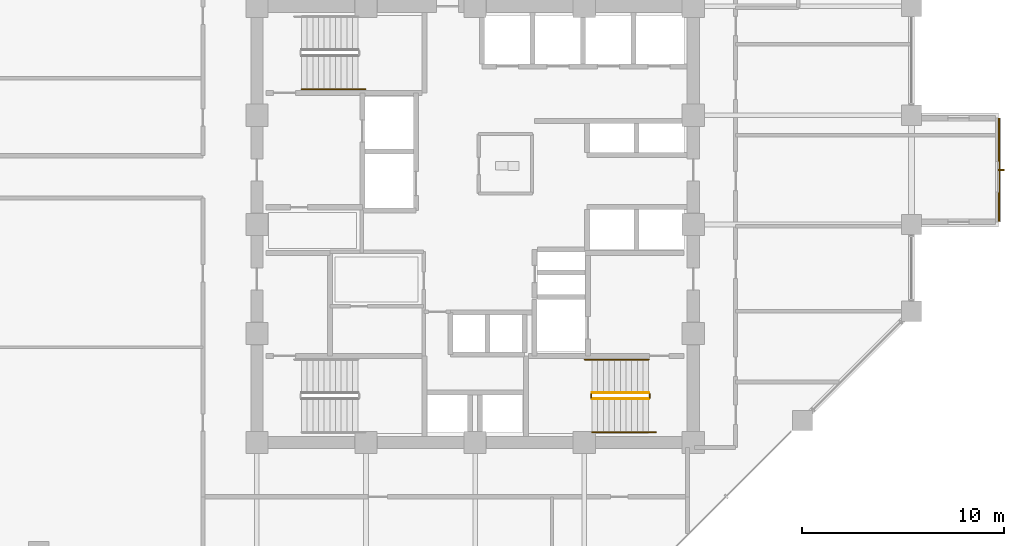
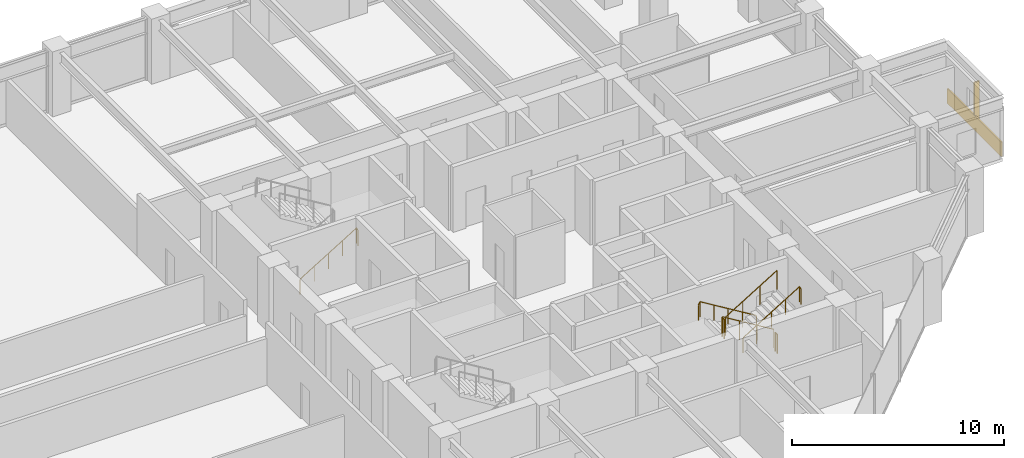
# One storey, part 23 of 25: 7 railings, 1 covering, 1 shading device.
"""IFC4 building model written with IfcOpenShell, lengths in metres."""

import ifcopenshell
import ifcopenshell.guid

model = None  # the IFC model being written
_history = None  # IfcOwnerHistory: only IFC2X3 demands one
_inside = {}  # id of a spatial element -> (the spatial element, [elements in it])
_under = {}  # id of a project, library or spatial element -> (it, [spatial elements below it])
_declared = {}  # id of a project -> (the project, [libraries it declares])
_typed = {}  # id of a type object -> (the type object, [elements of that type])
_made_of = {}  # id of a material, layer set ... -> (it, [elements and type objects made of it])


def new_model(schema):
    """Start an empty IFC model of exactly this schema.

    Asked for "IFC4X3", IfcOpenShell would pick the latest addendum, in which some entities
    have other attributes; the version numbers below select the first issue.
    IFC2X3 requires an IfcOwnerHistory on every rooted entity: one is made here for all.
    """
    global model, _history
    if schema == "IFC4X3":
        model = ifcopenshell.file(schema_version=(4, 3, 0, 0))
    else:
        model = ifcopenshell.file(schema=schema)
    _inside.clear()
    _under.clear()
    _declared.clear()
    _typed.clear()
    _made_of.clear()
    _history = None
    if model.schema == "IFC2X3":
        org = make("IfcOrganization", Name="unknown")
        user = make(
            "IfcPersonAndOrganization",
            ThePerson=make("IfcPerson", FamilyName="unknown"),
            TheOrganization=org,
        )
        app = make(
            "IfcApplication",
            ApplicationDeveloper=org,
            Version="unknown",
            ApplicationFullName="unknown",
            ApplicationIdentifier="unknown",
        )
        _history = make(
            "IfcOwnerHistory",
            OwningUser=user,
            OwningApplication=app,
            ChangeAction="ADDED",
            CreationDate=0,
        )
    return model


def make(cls, **values):
    """One entity of the class cls with the attributes given. An attribute that is None is left unset."""
    return model.create_entity(
        cls, **{name: value for name, value in values.items() if value is not None}
    )


def rooted(cls, **values):
    """An entity with a GlobalId (a new one), such as an element, a storey or a relation."""
    return make(cls, GlobalId=ifcopenshell.guid.new(), OwnerHistory=_history, **values)


def si_unit(unit_type, name, prefix=None):
    """IfcSIUnit, for example si_unit("LENGTHUNIT", "METRE", prefix="MILLI")."""
    return make("IfcSIUnit", UnitType=unit_type, Prefix=prefix, Name=name)


def assignment(units):
    """IfcUnitAssignment: the units of a project."""
    return None if units is None else make("IfcUnitAssignment", Units=units)


def point(xyz):
    """IfcCartesianPoint."""
    return None if xyz is None else make("IfcCartesianPoint", Coordinates=xyz)


def direction(xyz):
    """IfcDirection."""
    return None if xyz is None else make("IfcDirection", DirectionRatios=xyz)


def frame(location, z_axis=None, x_axis=None):
    """IfcAxis2Placement3D, a coordinate frame: its origin and axes. An axis left out is left unset."""
    return make(
        "IfcAxis2Placement3D",
        Location=point(location),
        Axis=direction(z_axis),
        RefDirection=direction(x_axis),
    )


def frame_2d(location, x_axis=None):
    """IfcAxis2Placement2D, a coordinate frame in the plane: its origin and x axis."""
    return make(
        "IfcAxis2Placement2D", Location=point(location), RefDirection=direction(x_axis)
    )


def origin():
    """The frame at (0, 0, 0) with its axes left unset."""
    return frame((0.0, 0.0, 0.0))


def origin_2d():
    """The frame at (0, 0) in the plane with its x axis left unset."""
    return frame_2d((0.0, 0.0))


def place(relative_to, where):
    """IfcLocalPlacement: puts the frame where relative to a parent placement (None: the world)."""
    return make(
        "IfcLocalPlacement", PlacementRelTo=relative_to, RelativePlacement=where
    )


def context(
    kind, dimensions, precision=None, world=None, true_north=None, identifier=None
):
    """IfcGeometricRepresentationContext, for example the 3D "Model" context."""
    return make(
        "IfcGeometricRepresentationContext",
        ContextIdentifier=identifier,
        ContextType=kind,
        CoordinateSpaceDimension=dimensions,
        Precision=precision,
        WorldCoordinateSystem=world,
        TrueNorth=true_north,
    )


def subcontext(parent, identifier, kind, view, scale=None):
    """IfcGeometricRepresentationSubContext, for example "Body" below "Model"."""
    return make(
        "IfcGeometricRepresentationSubContext",
        ContextIdentifier=identifier,
        ContextType=kind,
        ParentContext=parent,
        TargetScale=scale,
        TargetView=view,
    )


def project(units=None, contexts=None):
    """IfcProject with its units and contexts."""
    return rooted(
        "IfcProject",
        Name="project",
        RepresentationContexts=contexts,
        UnitsInContext=assignment(units),
    )


def spatial(cls, under=None, at=None, **own):
    """A site, building, storey or space (cls), placed at a placement, below another one or the project."""
    s = rooted(cls, ObjectPlacement=at, **own)
    if under is not None:
        _under.setdefault(under.id(), (under, []))[1].append(s)
    return s


def profile(cls, at=None, kind="AREA", **sizes):
    """A parametric profile (cls). Its sizes go by their IFC names, for example OverallWidth=200.0."""
    return make(cls, ProfileType=kind, Position=at, **sizes)


def rectangle(**sizes):
    """IfcRectangleProfileDef."""
    return profile("IfcRectangleProfileDef", **sizes)


def circle(**sizes):
    """IfcCircleProfileDef."""
    return profile("IfcCircleProfileDef", **sizes)


def extrude(swept, where, along, depth):
    """IfcExtrudedAreaSolid: the profile swept, set in the frame where, extruded along a direction by depth."""
    return make(
        "IfcExtrudedAreaSolid",
        SweptArea=swept,
        Position=where,
        ExtrudedDirection=direction(along),
        Depth=depth,
    )


def shape(context_of_items, identifier, shape_type, items):
    """IfcShapeRepresentation: the items that make up one representation, for example the "Body"."""
    return make(
        "IfcShapeRepresentation",
        ContextOfItems=context_of_items,
        RepresentationIdentifier=identifier,
        RepresentationType=shape_type,
        Items=items,
    )


def material(Name=None, Category=None):
    """IfcMaterial."""
    return make("IfcMaterial", Name=Name, Category=Category)


def layer(
    of_material, thickness, ventilated=None, Name=None, Category=None, Priority=None
):
    """IfcMaterialLayer: one layer of a wall or slab, of a material (None: an air gap)."""
    return make(
        "IfcMaterialLayer",
        Material=of_material,
        LayerThickness=thickness,
        IsVentilated=ventilated,
        Name=Name,
        Category=Category,
        Priority=Priority,
    )


def layer_set(layers, Name=None):
    """IfcMaterialLayerSet."""
    return make("IfcMaterialLayerSet", MaterialLayers=layers, LayerSetName=Name)


def made_of(thing, what):
    """Note that an element or type object is made of a material, layer set ...; save() writes the relation."""
    if what is not None:
        _made_of.setdefault(what.id(), (what, []))[1].append(thing)
    return thing


def type_object(cls, material=None, **own):
    """A type object (cls), such as IfcWallType, which elements share."""
    return made_of(rooted(cls, **own), material)


def element(
    cls,
    number,
    at=None,
    inside=None,
    cuts=None,
    type_object=None,
    material=None,
    context=None,
    identifier="Body",
    shape_type=None,
    held_by="IfcProductDefinitionShape",
    body=None,
    shapes=None,
    **own,
):
    """One element of the class cls, such as IfcWall. Its Tag is "e" and its number.

    at: its placement. inside: the storey or other place that contains it. cuts: it is an
    opening in that element (IfcRelVoidsElement). A single representation is given by context,
    identifier, shape_type and body (its items); several are given by shapes. held_by: the class
    of the entity that holds the representations. save() writes the other relations.
    """
    e = rooted(cls, Tag="e%d" % number, ObjectPlacement=at, **own)
    if body is not None:
        shapes = [shape(context, identifier, shape_type, body)]
    if shapes is not None:
        e.Representation = make(held_by, Representations=shapes)
    if inside is not None:
        _inside.setdefault(inside.id(), (inside, []))[1].append(e)
    if cuts is not None:
        rooted(
            "IfcRelVoidsElement", RelatingBuildingElement=cuts, RelatedOpeningElement=e
        )
    if type_object is not None:
        _typed.setdefault(type_object.id(), (type_object, []))[1].append(e)
    return made_of(e, material)


def aggregate(whole, parts):
    """IfcRelAggregates: a whole, such as a stair, and the parts it consists of."""
    return rooted("IfcRelAggregates", RelatingObject=whole, RelatedObjects=parts)


def save(model, path):
    """Write the relations noted so far, then the file.

    IfcRelAggregates (storeys below a building ...), IfcRelContainedInSpatialStructure (elements
    in a storey), IfcRelDefinesByType, IfcRelAssociatesMaterial and IfcRelDeclares: one each for
    every whole, place, type object, material and project.
    """
    for whole, parts in _under.values():
        aggregate(whole, parts)
    for where, things in _inside.values():
        rooted(
            "IfcRelContainedInSpatialStructure",
            RelatedElements=things,
            RelatingStructure=where,
        )
    for kind, things in _typed.values():
        rooted("IfcRelDefinesByType", RelatedObjects=things, RelatingType=kind)
    for what, things in _made_of.values():
        rooted("IfcRelAssociatesMaterial", RelatedObjects=things, RelatingMaterial=what)
    for by, libraries in _declared.values():
        rooted("IfcRelDeclares", RelatingContext=by, RelatedDefinitions=libraries)
    model.write(path)


model = new_model("IFC4")

# Units and contexts
model_context = context("Model", 3, precision=1e-05, world=origin(), true_north=direction((0.0, 1.0)))
body_context = subcontext(model_context, "Body", "Model", "MODEL_VIEW")
ifc_project = project(units=[si_unit("LENGTHUNIT", "METRE"), si_unit("AREAUNIT", "SQUARE_METRE"), si_unit("VOLUMEUNIT", "CUBIC_METRE"), si_unit("PLANEANGLEUNIT", "RADIAN"), si_unit("MASSUNIT", "GRAM", prefix="KILO")], contexts=[model_context])

# Site, building, storey
site_placement = place(None, origin())
site = spatial("IfcSite", under=ifc_project, at=site_placement, CompositionType="ELEMENT")
building_placement = place(site_placement, origin())
building = spatial("IfcBuilding", under=site, at=building_placement, Name="Surkhivell Harbour Commons", CompositionType="ELEMENT")
storey_placement = place(building_placement, frame((0.0, 0.0, 139.5)))
storey = spatial("IfcBuildingStorey", under=building, at=storey_placement, Name="L36", CompositionType="ELEMENT", Elevation=139.5)

# Covering
ifc_material_1 = material(Name="Vermilion-coral enamelled aluminium cassette panel", Category="aluminium")
ifc_layer = layer(ifc_material_1, 0.074951171875)
ifc_layer_set = layer_set([ifc_layer], Name="Vermilion-coral enamelled aluminium cassette panel")
covering_type = type_object("IfcCoveringType", Name="COV-CLAD-VER", PredefinedType="CLADDING", material=ifc_layer_set)
covering_placement = place(storey_placement, frame((25.93994140625, 2.699951171875, 0.0), z_axis=(0.0, 0.0, 1.0), x_axis=(1.0, 0.0, 0.0)))
element("IfcCovering", 1, at=covering_placement, inside=storey, type_object=covering_type, Name="L36 Coloured-Panel Box Spandrel Cassette 01", PredefinedType="CLADDING", context=body_context, shape_type="SweptSolid", body=[
    extrude(rectangle(XDim=0.080078125, YDim=5.10009765625, at=origin_2d()), origin(), (0.0, 0.0, 1.0), 0.840087890625),
])

# Railings
ifc_material_2 = material(Name="Galvanised and painted steel S355 guard rail", Category="steel")
railing_type_1 = type_object("IfcRailingType", Name="RAL-ST-GRD1100", PredefinedType="GUARDRAIL", material=ifc_material_2)
railing_1_placement = place(storey_placement, frame((8.590087890625, -8.340087890625, 0.17041015625)))
element("IfcRailing", 2, at=railing_1_placement, inside=storey, type_object=railing_type_1, Name="L36 ST2 stair guard 1", PredefinedType="GUARDRAIL", context=body_context, shape_type="SweptSolid", body=[
    extrude(circle(Radius=0.02392578125, at=origin_2d()), frame((0.0, 0.0, 1.076171875), z_axis=(-0.854169791009, 0.0, 0.51999420009), x_axis=(0.0, -1.0, 0.0)), (0.0, 0.0, 1.0), 3.278076171875),
    extrude(circle(Radius=0.02099609375, at=origin_2d()), origin(), (0.0, 0.0, 1.0), 1.052001953125),
    extrude(circle(Radius=0.02099609375, at=origin_2d()), frame((-0.933349609375, 0.0, 0.568115234375)), (0.0, 0.0, 1.0), 1.052001953125),
    extrude(circle(Radius=0.02099609375, at=origin_2d()), frame((-1.86669921875, 0.0, 1.136474609375)), (0.0, 0.0, 1.0), 1.052001953125),
    extrude(circle(Radius=0.02099609375, at=origin_2d()), frame((-2.800048828125, 0.0, 1.70458984375)), (0.0, 0.0, 1.0), 1.052001953125),
])
railing_2_placement = place(storey_placement, frame((5.739990234375, -8.389892578125, 1.875)))
element("IfcRailing", 3, at=railing_2_placement, inside=storey, type_object=railing_type_1, Name="L36 ST2 stair guard 2", PredefinedType="GUARDRAIL", context=body_context, shape_type="SweptSolid", body=[
    extrude(circle(Radius=0.02392578125, at=origin_2d()), frame((0.0, 0.0, 1.076171875), z_axis=(0.0, -1.0, 0.0), x_axis=(1.0, 0.0, 0.0)), (0.0, 0.0, 1.0), 0.2001953125),
    extrude(circle(Radius=0.02099609375, at=origin_2d()), origin(), (0.0, 0.0, 1.0), 1.052001953125),
    extrude(circle(Radius=0.02099609375, at=origin_2d()), frame((0.0, -0.2001953125, 0.0)), (0.0, 0.0, 1.0), 1.052001953125),
])
railing_3_placement = place(storey_placement, frame((5.7900390625, -8.639892578125, 2.04541015625)))
element("IfcRailing", 4, at=railing_3_placement, inside=storey, type_object=railing_type_1, Name="L36 ST2 stair guard 3", PredefinedType="GUARDRAIL", context=body_context, shape_type="SweptSolid", body=[
    extrude(circle(Radius=0.02392578125, at=origin_2d()), frame((0.0, 0.0, 1.076171875), z_axis=(0.854169791009, 0.0, 0.51999420009), x_axis=(0.0, 1.0, 0.0)), (0.0, 0.0, 1.0), 3.278076171875),
    extrude(circle(Radius=0.02099609375, at=origin_2d()), origin(), (0.0, 0.0, 1.0), 1.052001953125),
    extrude(circle(Radius=0.02099609375, at=origin_2d()), frame((0.933349609375, 0.0, 0.568115234375)), (0.0, 0.0, 1.0), 1.052001953125),
    extrude(circle(Radius=0.02099609375, at=origin_2d()), frame((1.86669921875, 0.0, 1.136474609375)), (0.0, 0.0, 1.0), 1.052001953125),
    extrude(circle(Radius=0.02099609375, at=origin_2d()), frame((2.800048828125, 0.0, 1.70458984375)), (0.0, 0.0, 1.0), 1.052001953125),
])
railing_4_placement = place(storey_placement, frame((8.639892578125, -8.389892578125, 0.0)))
element("IfcRailing", 5, at=railing_4_placement, inside=storey, type_object=railing_type_1, Name="L36 ST2 stair guard 4", PredefinedType="GUARDRAIL", context=body_context, shape_type="SweptSolid", body=[
    extrude(circle(Radius=0.02392578125, at=origin_2d()), frame((0.0, 0.0, 1.076171875), z_axis=(0.0, -1.0, 0.0), x_axis=(1.0, 0.0, 0.0)), (0.0, 0.0, 1.0), 0.2001953125),
    extrude(circle(Radius=0.02099609375, at=origin_2d()), origin(), (0.0, 0.0, 1.0), 1.052001953125),
    extrude(circle(Radius=0.02099609375, at=origin_2d()), frame((0.0, -0.2001953125, 0.0)), (0.0, 0.0, 1.0), 1.052001953125),
])
ifc_material_3 = material(Name="Brushed stainless steel S355 handrail", Category="steel")
railing_type_2 = type_object("IfcRailingType", Name="RAL-ST-HND900", PredefinedType="HANDRAIL", material=ifc_material_3)
railing_5_placement = place(storey_placement, frame((-8.590087890625, 6.68994140625, 0.17041015625)))
element("IfcRailing", 6, at=railing_5_placement, inside=storey, type_object=railing_type_2, Name="L36 ST1 stair handrail 1", PredefinedType="HANDRAIL", context=body_context, shape_type="SweptSolid", body=[
    extrude(circle(Radius=0.02392578125, at=origin_2d()), frame((0.0, 0.0, 0.8759765625), z_axis=(0.854177636135, 0.0, 0.519981313056), x_axis=(0.0, 1.0, 0.0)), (0.0, 0.0, 1.0), 3.60595703125),
    extrude(circle(Radius=0.02392578125, at=origin_2d()), frame((3.080078125, 0.0, 2.7509765625), z_axis=(0.425297416671, 0.0, -0.905053648892), x_axis=(0.0, 1.0, 0.0)), (0.0, 0.0, 1.0), 0.188232421875),
    extrude(circle(Radius=0.02099609375, at=origin_2d()), origin(), (0.0, 0.0, 1.0), 0.851806640625),
    extrude(circle(Radius=0.02099609375, at=origin_2d()), frame((0.77001953125, 0.0, 0.46875)), (0.0, 0.0, 1.0), 0.851806640625),
    extrude(circle(Radius=0.02099609375, at=origin_2d()), frame((1.5400390625, 0.0, 0.9375)), (0.0, 0.0, 1.0), 0.851806640625),
    extrude(circle(Radius=0.02099609375, at=origin_2d()), frame((2.31005859375, 0.0, 1.40625)), (0.0, 0.0, 1.0), 0.851806640625),
    extrude(circle(Radius=0.02099609375, at=origin_2d()), frame((3.080078125, 0.0, 1.875)), (0.0, 0.0, 1.0), 0.851806640625),
    extrude(circle(Radius=0.02099609375, at=origin_2d()), frame((3.16015625, 0.0, 1.70458984375)), (0.0, 0.0, 1.0), 0.851806640625),
])
railing_6_placement = place(storey_placement, frame((8.590087890625, -6.68994140625, 0.17041015625)))
element("IfcRailing", 7, at=railing_6_placement, inside=storey, type_object=railing_type_2, Name="L36 ST2 stair handrail 1", PredefinedType="HANDRAIL", context=body_context, shape_type="SweptSolid", body=[
    extrude(circle(Radius=0.02392578125, at=origin_2d()), frame((0.0, 0.0, 0.8759765625), z_axis=(-0.854177636135, 0.0, 0.519981313056), x_axis=(0.0, -1.0, 0.0)), (0.0, 0.0, 1.0), 3.60595703125),
    extrude(circle(Radius=0.02392578125, at=origin_2d()), frame((-3.080078125, 0.0, 2.7509765625), z_axis=(-0.425297416671, 0.0, -0.905053648892), x_axis=(0.0, -1.0, 0.0)), (0.0, 0.0, 1.0), 0.188232421875),
    extrude(circle(Radius=0.02099609375, at=origin_2d()), origin(), (0.0, 0.0, 1.0), 0.851806640625),
    extrude(circle(Radius=0.02099609375, at=origin_2d()), frame((-0.77001953125, 0.0, 0.46875)), (0.0, 0.0, 1.0), 0.851806640625),
    extrude(circle(Radius=0.02099609375, at=origin_2d()), frame((-1.5400390625, 0.0, 0.9375)), (0.0, 0.0, 1.0), 0.851806640625),
    extrude(circle(Radius=0.02099609375, at=origin_2d()), frame((-2.31005859375, 0.0, 1.40625)), (0.0, 0.0, 1.0), 0.851806640625),
    extrude(circle(Radius=0.02099609375, at=origin_2d()), frame((-3.080078125, 0.0, 1.875)), (0.0, 0.0, 1.0), 0.851806640625),
    extrude(circle(Radius=0.02099609375, at=origin_2d()), frame((-3.16015625, 0.0, 1.70458984375)), (0.0, 0.0, 1.0), 0.851806640625),
])
railing_7_placement = place(storey_placement, frame((5.7900390625, -10.2900390625, 2.04541015625)))
element("IfcRailing", 8, at=railing_7_placement, inside=storey, type_object=railing_type_2, Name="L36 ST2 stair handrail 2", PredefinedType="HANDRAIL", context=body_context, shape_type="SweptSolid", body=[
    extrude(circle(Radius=0.02392578125, at=origin_2d()), frame((0.0, 0.0, 0.8759765625), z_axis=(0.854177636135, 0.0, 0.519981313056), x_axis=(0.0, 1.0, 0.0)), (0.0, 0.0, 1.0), 3.60595703125),
    extrude(circle(Radius=0.02392578125, at=origin_2d()), frame((3.080078125, 0.0, 2.7509765625), z_axis=(0.424234432967, 0.0, -0.905552398199), x_axis=(0.0, 1.0, 0.0)), (0.0, 0.0, 1.0), 0.188232421875),
    extrude(circle(Radius=0.02099609375, at=origin_2d()), origin(), (0.0, 0.0, 1.0), 0.851806640625),
    extrude(circle(Radius=0.02099609375, at=origin_2d()), frame((0.77001953125, 0.0, 0.46875)), (0.0, 0.0, 1.0), 0.851806640625),
    extrude(circle(Radius=0.02099609375, at=origin_2d()), frame((1.5400390625, 0.0, 0.9375)), (0.0, 0.0, 1.0), 0.851806640625),
    extrude(circle(Radius=0.02099609375, at=origin_2d()), frame((2.31005859375, 0.0, 1.40625)), (0.0, 0.0, 1.0), 0.851806640625),
    extrude(circle(Radius=0.02099609375, at=origin_2d()), frame((3.080078125, 0.0, 1.875)), (0.0, 0.0, 1.0), 0.851806640625),
    extrude(circle(Radius=0.02099609375, at=origin_2d()), frame((3.159912109375, 0.0, 1.70458984375)), (0.0, 0.0, 1.0), 0.851806640625),
])

# Shading device
ifc_material_4 = material(Name="Champagne anodised aluminium solar fin", Category="aluminium")
shading_device_type = type_object("IfcShadingDeviceType", Name="SHD-FIN-SLIM", PredefinedType="USERDEFINED", material=ifc_material_4)
shading_device_placement = place(storey_placement, frame((26.0400390625, 2.699951171875, 0.0048828125), z_axis=(0.0, 0.0, 1.0), x_axis=(1.0, 0.0, 0.0)))
element("IfcShadingDevice", 9, at=shading_device_placement, inside=storey, type_object=shading_device_type, Name="L36 Coloured-Box Solar Fin 01", ObjectType="FIN", PredefinedType="USERDEFINED", context=body_context, shape_type="SweptSolid", body=[
    extrude(rectangle(XDim=0.280029296875, YDim=0.080078125, at=origin_2d()), origin(), (0.0, 0.0, 1.0), 2.75),
])

save(model, "model.ifc")
